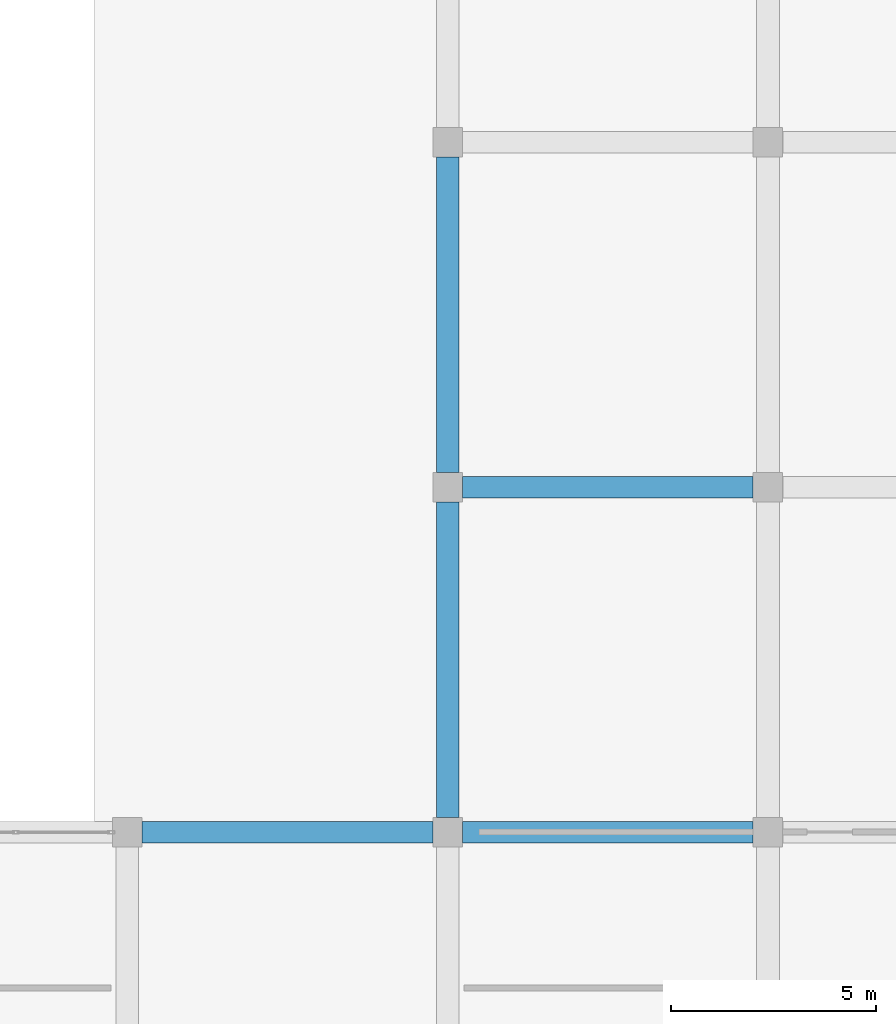
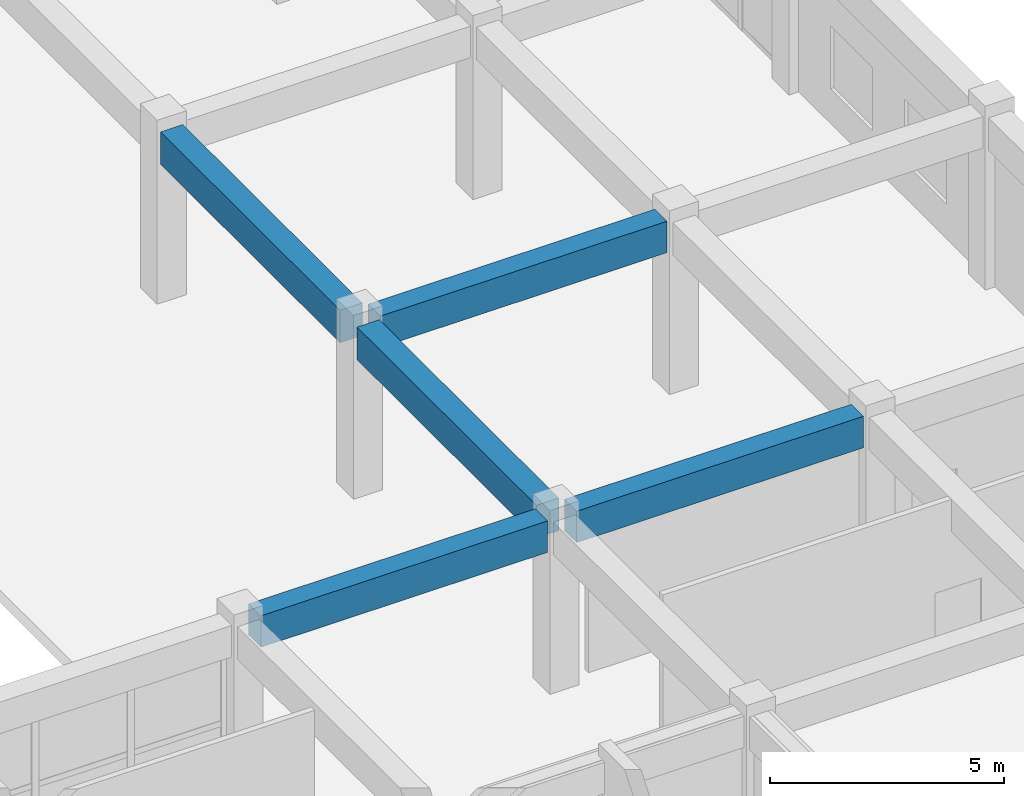
# One storey, part 77 of 139: 5 beams.
"""IFC4 building model written with IfcOpenShell, lengths in metres."""

from ifc_helpers import new_model, si_unit, direction, frame, origin, origin_2d, place, context, subcontext, project, spatial, rectangle, extrude, material, material_profile, profile_set, type_object, element, save


model = new_model("IFC4")

# Units and contexts
model_context = context("Model", 3, precision=1e-05, world=origin(), true_north=direction((0.0, 1.0)))
body_context = subcontext(model_context, "Body", "Model", "MODEL_VIEW")
ifc_project = project(units=[si_unit("LENGTHUNIT", "METRE"), si_unit("AREAUNIT", "SQUARE_METRE"), si_unit("VOLUMEUNIT", "CUBIC_METRE"), si_unit("PLANEANGLEUNIT", "RADIAN"), si_unit("MASSUNIT", "GRAM", prefix="KILO")], contexts=[model_context])

# Site, building, storey
site_placement = place(None, origin())
site = spatial("IfcSite", under=ifc_project, at=site_placement, CompositionType="ELEMENT")
building_placement = place(site_placement, origin())
building = spatial("IfcBuilding", under=site, at=building_placement, Name="Zizhar Promenade General Hospital", CompositionType="ELEMENT")
storey_placement = place(building_placement, origin())
storey = spatial("IfcBuildingStorey", under=building, at=storey_placement, Name="L00", CompositionType="ELEMENT", Elevation=0.0)

# Beams
ifc_material_1 = material(Name="Concrete C35/45", Category="concrete")
ifc_material_profile_1 = material_profile(ifc_material_1, rectangle(XDim=0.52001953125, YDim=0.820068359375, at=origin_2d()))
ifc_profile_set_1 = profile_set([ifc_material_profile_1], Name="Concrete C35/45")
beam_type_1 = type_object("IfcBeamType", Name="BM-RC-520x820", PredefinedType="BEAM", material=ifc_profile_set_1)
for number, where, z_axis, x_axis, name in (
    (1, (171.9599609375, 67.199951171875, 4.06005859375), (1.0, 0.0, 0.0), (0.0, 1.0, 0.0), "Grid Beam X L00 (22-8)"),
    (2, (179.760009765625, 67.199951171875, 4.06005859375), (1.0, 0.0, 0.0), (0.0, 1.0, 0.0), "Grid Beam X L00 (23-8)"),
    (3, (179.760009765625, 75.60009765625, 4.06005859375), (1.0, 0.0, 0.0), (0.0, 1.0, 0.0), "Grid Beam X L00 (23-9)"),
):
    element("IfcBeam", number, at=place(storey_placement, frame(where, z_axis=z_axis, x_axis=x_axis)), inside=storey, type_object=beam_type_1, Name=name, PredefinedType="BEAM", context=body_context, shape_type="SweptSolid", body=[
        extrude(rectangle(XDim=0.52001953125, YDim=0.820068359375, at=origin_2d()), origin(), (0.0, 0.0, 1.0), 7.080078125),
    ])
ifc_material_2 = material(Name="Concrete C35/45", Category="concrete")
ifc_material_profile_2 = material_profile(ifc_material_2, rectangle(XDim=0.550048828125, YDim=0.85009765625, at=origin_2d()))
ifc_profile_set_2 = profile_set([ifc_material_profile_2], Name="Concrete C35/45")
beam_type_2 = type_object("IfcBeamType", Name="BM-RC-550x850", PredefinedType="BEAM", material=ifc_profile_set_2)
for number, where, z_axis, x_axis, name in (
    (4, (179.39990234375, 67.56005859375, 4.044921875), (0.0, 1.0, 0.0), (-1.0, 0.0, 0.0), "Grid Beam Y L00 (23-8)"),
    (5, (179.39990234375, 75.9599609375, 4.044921875), (0.0, 1.0, 0.0), (-1.0, 0.0, 0.0), "Grid Beam Y L00 (23-9)"),
):
    element("IfcBeam", number, at=place(storey_placement, frame(where, z_axis=z_axis, x_axis=x_axis)), inside=storey, type_object=beam_type_2, Name=name, PredefinedType="BEAM", context=body_context, shape_type="SweptSolid", body=[
        extrude(rectangle(XDim=0.550048828125, YDim=0.85009765625, at=origin_2d()), origin(), (0.0, 0.0, 1.0), 7.679931640625),
    ])

save(model, "model.ifc")
